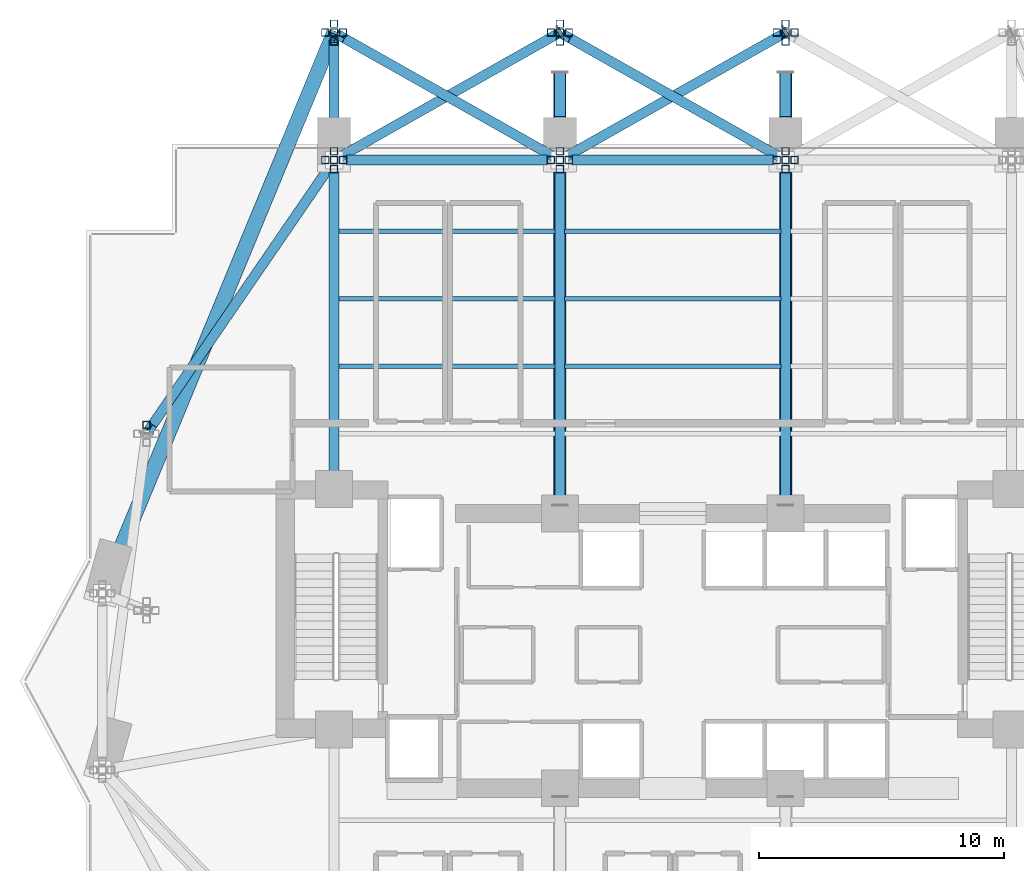
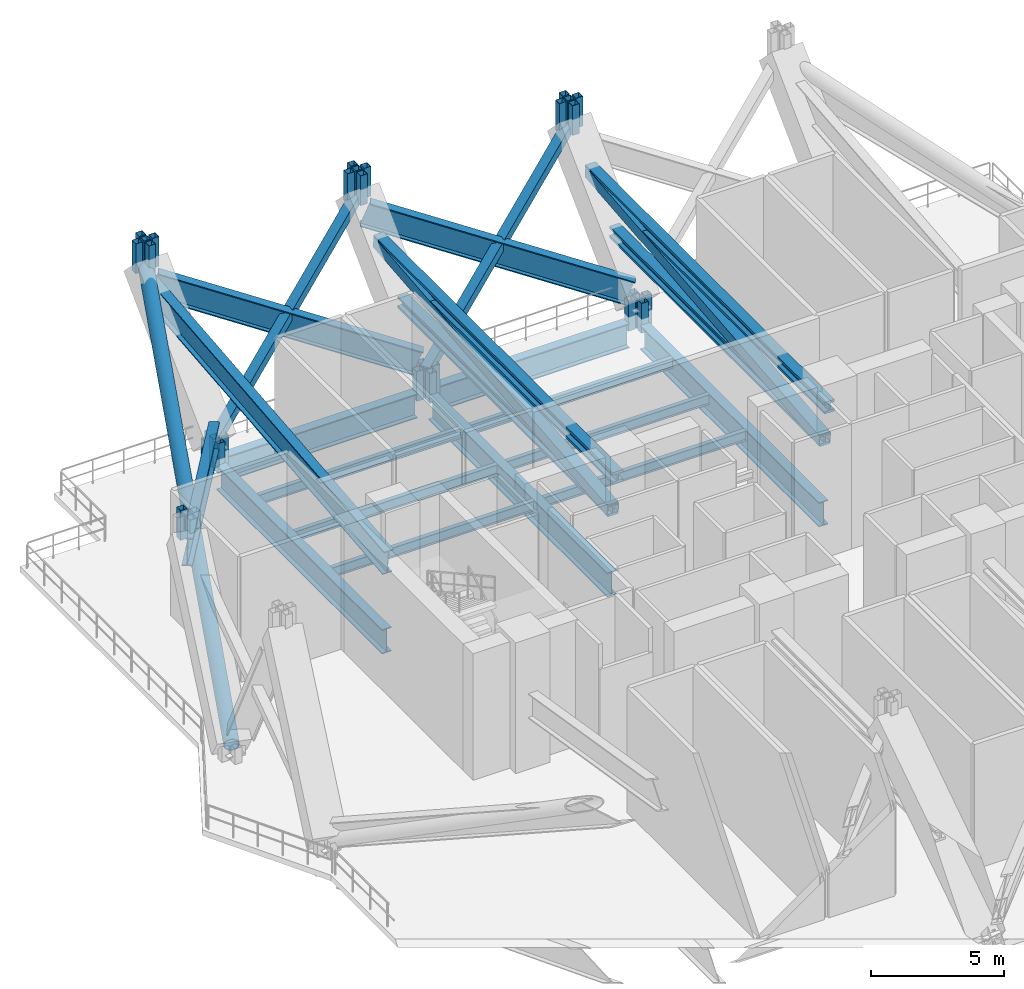
# One storey, part 5 of 18: 40 members, 15 beams.
"""IFC4 building model written with IfcOpenShell, lengths in metres."""

from ifc_helpers import new_model, si_unit, direction, frame, origin, origin_2d, place, context, subcontext, project, spatial, hollow_rectangle, hollow_circle, i_section, extrude, material, material_profile, profile_set, type_object, element, save


model = new_model("IFC4")

# Units and contexts
model_context = context("Model", 3, precision=1e-05, world=origin(), true_north=direction((0.0, 1.0)))
body_context = subcontext(model_context, "Body", "Model", "MODEL_VIEW")
ifc_project = project(units=[si_unit("LENGTHUNIT", "METRE"), si_unit("AREAUNIT", "SQUARE_METRE"), si_unit("VOLUMEUNIT", "CUBIC_METRE"), si_unit("PLANEANGLEUNIT", "RADIAN"), si_unit("MASSUNIT", "GRAM", prefix="KILO")], contexts=[model_context])

# Site, building, storey
site_placement = place(None, origin())
site = spatial("IfcSite", under=ifc_project, at=site_placement, CompositionType="ELEMENT")
building_placement = place(site_placement, origin())
building = spatial("IfcBuilding", under=site, at=building_placement, Name="Zuhayl Quay Hotel", CompositionType="ELEMENT")
storey_placement = place(building_placement, frame((0.0, 0.0, 162.199951171875)))
storey = spatial("IfcBuildingStorey", under=building, at=storey_placement, Name="L41", CompositionType="ELEMENT", Elevation=162.199951171875)

# Beams
ifc_material_1 = material(Name="Steel ASTM A992 Grade 50", Category="steel")
ifc_material_profile_1 = material_profile(ifc_material_1, i_section(OverallWidth=0.18994140625, OverallDepth=0.45703125, WebThickness=0.009033203125, FlangeThickness=0.014404296875, at=origin_2d()), Name="W18X50")
ifc_profile_set_1 = profile_set([ifc_material_profile_1], Name="Steel ASTM A992 Grade 50")
beam_type_1 = type_object("IfcBeamType", Name="BM_J2_W18X50", PredefinedType="JOIST", material=ifc_profile_set_1)
for number, where, z_axis, x_axis, name in (
    (1, (-13.60595703125, 19.35009765625, -0.488525390625), (1.0, 0.0, 0.0), (0.0, 1.0, 0.0), "L41 Floor Beam FJ_L41_2_1"),
    (2, (-4.406005859375, 19.35009765625, -0.488525390625), (1.0, 0.0, 0.0), (0.0, 1.0, 0.0), "L41 Floor Beam FJ_L41_2_2"),
    (3, (-13.60595703125, 22.10009765625, -0.488525390625), (1.0, 0.0, 0.0), (0.0, 1.0, 0.0), "L41 Floor Beam FJ_L41_3_1"),
    (4, (-4.406005859375, 22.10009765625, -0.488525390625), (1.0, 0.0, 0.0), (0.0, 1.0, 0.0), "L41 Floor Beam FJ_L41_3_2"),
    (5, (-13.60595703125, 24.85009765625, -0.488525390625), (1.0, 0.0, 0.0), (0.0, 1.0, 0.0), "L41 Floor Beam FJ_L41_4_1"),
    (6, (-4.406005859375, 24.85009765625, -0.488525390625), (1.0, 0.0, 0.0), (0.0, 1.0, 0.0), "L41 Floor Beam FJ_L41_4_2"),
):
    element("IfcBeam", number, at=place(storey_placement, frame(where, z_axis=z_axis, x_axis=x_axis)), inside=storey, type_object=beam_type_1, Name=name, PredefinedType="JOIST", context=body_context, shape_type="SweptSolid", body=[
        extrude(i_section(OverallWidth=0.18994140625, OverallDepth=0.45703125, WebThickness=0.009033203125, FlangeThickness=0.014404296875, at=origin_2d()), origin(), (0.0, 0.0, 1.0), 8.81201171875),
    ])
ifc_material_2 = material(Name="Steel ASTM A913 Grade 65", Category="steel")
ifc_material_profile_2 = material_profile(ifc_material_2, i_section(OverallWidth=0.404052734375, OverallDepth=1.117919921875, WebThickness=0.026123046875, FlangeThickness=0.044921875, at=origin_2d()), Name="W44X335")
ifc_profile_set_2 = profile_set([ifc_material_profile_2], Name="Steel ASTM A913 Grade 65")
beam_type_2 = type_object("IfcBeamType", Name="BM_TG1_W44X335", PredefinedType="BEAM", material=ifc_profile_set_2)
beam_1_placement = place(storey_placement, frame((4.10009765625, 27.75, -0.81884765625), z_axis=(-1.0, 0.0, 0.0), x_axis=(0.0, -1.0, 0.0)))
element("IfcBeam", 7, at=beam_1_placement, inside=storey, type_object=beam_type_2, Name="L41 Floor Beam RG_L41_08", PredefinedType="BEAM", context=body_context, shape_type="SweptSolid", body=[
    extrude(i_section(OverallWidth=0.404052734375, OverallDepth=1.117919921875, WebThickness=0.026123046875, FlangeThickness=0.044921875, at=origin_2d()), origin(), (0.0, 0.0, 1.0), 8.2001953125),
])
beam_2_placement = place(storey_placement, frame((-5.10009765625, 27.75, -0.81884765625), z_axis=(-1.0, 0.0, 0.0), x_axis=(0.0, -1.0, 0.0)))
element("IfcBeam", 8, at=beam_2_placement, inside=storey, type_object=beam_type_2, Name="L41 Floor Beam RG_L41_09", PredefinedType="BEAM", context=body_context, shape_type="SweptSolid", body=[
    extrude(i_section(OverallWidth=0.404052734375, OverallDepth=1.117919921875, WebThickness=0.026123046875, FlangeThickness=0.044921875, at=origin_2d()), origin(), (0.0, 0.0, 1.0), 8.199951171875),
])
for number, where, z_axis, x_axis, name in (
    (9, (4.3388671875, 27.897705078125, 0.949951171875), (-0.816946933042, 0.46175061571, 0.345520010253), (-0.492055642544, -0.870563751049, 0.0), "L41 Wind-Floor Inclined Belt Girder 08"),
    (10, (-4.861083984375, 27.897705078125, 0.949951171875), (-0.816946933042, 0.46175061571, 0.345520010253), (-0.492055642544, -0.870563751049, 0.0), "L41 Wind-Floor Inclined Belt Girder 09"),
):
    element("IfcBeam", number, at=place(storey_placement, frame(where, z_axis=z_axis, x_axis=x_axis)), inside=storey, type_object=beam_type_2, Name=name, PredefinedType="BEAM", context=body_context, shape_type="SweptSolid", body=[
        extrude(i_section(OverallWidth=0.404052734375, OverallDepth=1.117919921875, WebThickness=0.026123046875, FlangeThickness=0.044921875, at=origin_2d()), origin(), (0.0, 0.0, 1.0), 10.6220703125),
    ])
beam_3_placement = place(storey_placement, frame((-13.9697265625, 27.502685546875, 0.949951171875), z_axis=(-0.544217554717, -0.793208354197, 0.273217422524), x_axis=(0.824581789363, -0.565742761907, 0.0)))
element("IfcBeam", 11, at=beam_3_placement, inside=storey, type_object=beam_type_2, Name="L41 Wind-Floor Inclined Belt Girder 10", PredefinedType="BEAM", context=body_context, shape_type="SweptSolid", body=[
    extrude(i_section(OverallWidth=0.404052734375, OverallDepth=1.117919921875, WebThickness=0.026123046875, FlangeThickness=0.044921875, at=origin_2d()), origin(), (0.0, 0.0, 1.0), 13.43310546875),
])
beam_4_placement = place(storey_placement, frame((-13.800048828125, 14.699951171875, 2.85009765625), z_axis=(0.0, 0.995146642423, 0.098403049108), x_axis=(-1.0, 0.0, 0.0)))
element("IfcBeam", 12, at=beam_4_placement, inside=storey, type_object=beam_type_2, Name="L41 Wind-Floor Inclined Outrigger Girder 1", PredefinedType="BEAM", context=body_context, shape_type="SweptSolid", body=[
    extrude(i_section(OverallWidth=0.404052734375, OverallDepth=1.117919921875, WebThickness=0.026123046875, FlangeThickness=0.044921875, at=origin_2d()), origin(), (0.0, 0.0, 1.0), 17.987548828125),
])
beam_5_placement = place(storey_placement, frame((-13.800048828125, 14.800048828125, -0.81884765625), z_axis=(0.0, 1.0, 0.0), x_axis=(-1.0, 0.0, 0.0)))
element("IfcBeam", 13, at=beam_5_placement, inside=storey, type_object=beam_type_2, Name="L41 Floor Beam FG_N_L41_1", PredefinedType="BEAM", context=body_context, shape_type="SweptSolid", body=[
    extrude(i_section(OverallWidth=0.404052734375, OverallDepth=1.117919921875, WebThickness=0.026123046875, FlangeThickness=0.044921875, at=origin_2d()), origin(), (0.0, 0.0, 1.0), 12.449951171875),
])
for number, where, z_axis, x_axis, name in (
    (14, (-4.60009765625, 13.800048828125, -0.81884765625), (0.0, 1.0, 0.0), (-1.0, 0.0, 0.0), "L41 Floor Beam FG_N_L41_2"),
    (15, (4.60009765625, 13.800048828125, -0.81884765625), (0.0, 1.0, 0.0), (-1.0, 0.0, 0.0), "L41 Floor Beam FG_N_L41_3"),
):
    element("IfcBeam", number, at=place(storey_placement, frame(where, z_axis=z_axis, x_axis=x_axis)), inside=storey, type_object=beam_type_2, Name=name, PredefinedType="BEAM", context=body_context, shape_type="SweptSolid", body=[
        extrude(i_section(OverallWidth=0.404052734375, OverallDepth=1.117919921875, WebThickness=0.026123046875, FlangeThickness=0.044921875, at=origin_2d()), origin(), (0.0, 0.0, 1.0), 13.449951171875),
    ])

# Members
ifc_material_3 = material(Name="Steel ASTM A500 Grade C", Category="steel")
ifc_material_profile_3 = material_profile(ifc_material_3, hollow_rectangle(XDim=0.39990234375, YDim=0.39990234375, WallThickness=0.01611328125, at=origin_2d()), Name="HSS400X400X16")
ifc_profile_set_3 = profile_set([ifc_material_profile_3], Name="Steel ASTM A500 Grade C")
member_type_1 = type_object("IfcMemberType", Name="MB_BT_DIAG_HSS400", PredefinedType="BRACE", material=ifc_profile_set_3)
member_1_placement = place(storey_placement, frame((-13.800048828125, 27.75, 0.550048828125), z_axis=(0.789796824295, 0.446405078169, 0.420646505416), x_axis=(-0.492055734166, 0.870563699263, 0.0)))
element("IfcMember", 16, at=member_1_placement, inside=storey, type_object=member_type_1, Name="L41 Belt Truss BT2 Diagonal N12", PredefinedType="BRACE", context=body_context, shape_type="SweptSolid", body=[
    extrude(hollow_rectangle(XDim=0.39990234375, YDim=0.39990234375, WallThickness=0.01611328125, at=origin_2d()), origin(), (0.0, 0.0, 1.0), 11.6484375),
])
member_2_placement = place(storey_placement, frame((-4.60009765625, 27.75, 0.550048828125), z_axis=(0.789804709303, 0.446397688765, 0.420639542397), x_axis=(-0.4920458381, 0.870569292594, 0.0)))
element("IfcMember", 17, at=member_2_placement, inside=storey, type_object=member_type_1, Name="L41 Belt Truss BT2 Diagonal N23", PredefinedType="BRACE", context=body_context, shape_type="SweptSolid", body=[
    extrude(hollow_rectangle(XDim=0.39990234375, YDim=0.39990234375, WallThickness=0.01611328125, at=origin_2d()), origin(), (0.0, 0.0, 1.0), 11.648681640625),
])
ifc_material_profile_4 = material_profile(ifc_material_3, hollow_rectangle(XDim=0.300048828125, YDim=0.300048828125, WallThickness=0.012451171875, at=origin_2d()), Name="HSS300X300X12")
ifc_profile_set_4 = profile_set([ifc_material_profile_4], Name="Steel ASTM A500 Grade C")
member_type_2 = type_object("IfcMemberType", Name="MB_CR_BRACE_HSS300", PredefinedType="BRACE", material=ifc_profile_set_4)
member_3_placement = place(storey_placement, frame((-13.800048828125, 27.75, -0.64990234375), z_axis=(0.0, 0.0, 1.0), x_axis=(1.0, 0.0, 0.0)))
element("IfcMember", 18, at=member_3_placement, inside=storey, type_object=member_type_2, Name="L41 Mega-Column Lower Knuckle Leg MC_N1-1", PredefinedType="STRUT", context=body_context, shape_type="SweptSolid", body=[
    extrude(hollow_rectangle(XDim=0.300048828125, YDim=0.300048828125, WallThickness=0.012451171875, at=origin_2d()), origin(), (0.0, 0.0, 1.0), 1.369873046875),
])
member_4_placement = place(storey_placement, frame((-13.800048828125, 32.949951171875, 5.280029296875), z_axis=(0.0, 0.0, 1.0), x_axis=(1.0, 0.0, 0.0)))
element("IfcMember", 19, at=member_4_placement, inside=storey, type_object=member_type_2, Name="L41 Mega-Column Upper Knuckle Leg MC_N1-1", PredefinedType="STRUT", context=body_context, shape_type="SweptSolid", body=[
    extrude(hollow_rectangle(XDim=0.300048828125, YDim=0.300048828125, WallThickness=0.012451171875, at=origin_2d()), origin(), (0.0, 0.0, 1.0), 1.3701171875),
])
member_5_placement = place(storey_placement, frame((-13.800048828125, 28.110107421875, -0.64990234375), z_axis=(0.0, 0.0, 1.0), x_axis=(1.0, 0.0, 0.0)))
element("IfcMember", 20, at=member_5_placement, inside=storey, type_object=member_type_2, Name="L41 Mega-Column Lower Knuckle Leg MC_N1-2", PredefinedType="STRUT", context=body_context, shape_type="SweptSolid", body=[
    extrude(hollow_rectangle(XDim=0.300048828125, YDim=0.300048828125, WallThickness=0.012451171875, at=origin_2d()), origin(), (0.0, 0.0, 1.0), 1.369873046875),
])
member_6_placement = place(storey_placement, frame((-13.800048828125, 33.31005859375, 5.280029296875), z_axis=(0.0, 0.0, 1.0), x_axis=(1.0, 0.0, 0.0)))
element("IfcMember", 21, at=member_6_placement, inside=storey, type_object=member_type_2, Name="L41 Mega-Column Upper Knuckle Leg MC_N1-2", PredefinedType="STRUT", context=body_context, shape_type="SweptSolid", body=[
    extrude(hollow_rectangle(XDim=0.300048828125, YDim=0.300048828125, WallThickness=0.012451171875, at=origin_2d()), origin(), (0.0, 0.0, 1.0), 1.3701171875),
])
member_7_placement = place(storey_placement, frame((-13.800048828125, 27.389892578125, -0.64990234375), z_axis=(0.0, 0.0, 1.0), x_axis=(1.0, 0.0, 0.0)))
element("IfcMember", 22, at=member_7_placement, inside=storey, type_object=member_type_2, Name="L41 Mega-Column Lower Knuckle Leg MC_N1-3", PredefinedType="STRUT", context=body_context, shape_type="SweptSolid", body=[
    extrude(hollow_rectangle(XDim=0.300048828125, YDim=0.300048828125, WallThickness=0.012451171875, at=origin_2d()), origin(), (0.0, 0.0, 1.0), 1.369873046875),
])
member_8_placement = place(storey_placement, frame((-13.800048828125, 32.590087890625, 5.280029296875), z_axis=(0.0, 0.0, 1.0), x_axis=(1.0, 0.0, 0.0)))
element("IfcMember", 23, at=member_8_placement, inside=storey, type_object=member_type_2, Name="L41 Mega-Column Upper Knuckle Leg MC_N1-3", PredefinedType="STRUT", context=body_context, shape_type="SweptSolid", body=[
    extrude(hollow_rectangle(XDim=0.300048828125, YDim=0.300048828125, WallThickness=0.012451171875, at=origin_2d()), origin(), (0.0, 0.0, 1.0), 1.3701171875),
])
member_9_placement = place(storey_placement, frame((-13.43994140625, 27.75, -0.64990234375), z_axis=(0.0, 0.0, 1.0), x_axis=(1.0, 0.0, 0.0)))
element("IfcMember", 24, at=member_9_placement, inside=storey, type_object=member_type_2, Name="L41 Mega-Column Lower Knuckle Leg MC_N1-4", PredefinedType="STRUT", context=body_context, shape_type="SweptSolid", body=[
    extrude(hollow_rectangle(XDim=0.300048828125, YDim=0.300048828125, WallThickness=0.012451171875, at=origin_2d()), origin(), (0.0, 0.0, 1.0), 1.369873046875),
])
member_10_placement = place(storey_placement, frame((-13.43994140625, 32.949951171875, 5.280029296875), z_axis=(0.0, 0.0, 1.0), x_axis=(1.0, 0.0, 0.0)))
element("IfcMember", 25, at=member_10_placement, inside=storey, type_object=member_type_2, Name="L41 Mega-Column Upper Knuckle Leg MC_N1-4", PredefinedType="STRUT", context=body_context, shape_type="SweptSolid", body=[
    extrude(hollow_rectangle(XDim=0.300048828125, YDim=0.300048828125, WallThickness=0.012451171875, at=origin_2d()), origin(), (0.0, 0.0, 1.0), 1.3701171875),
])
member_11_placement = place(storey_placement, frame((-14.159912109375, 27.75, -0.64990234375), z_axis=(0.0, 0.0, 1.0), x_axis=(1.0, 0.0, 0.0)))
element("IfcMember", 26, at=member_11_placement, inside=storey, type_object=member_type_2, Name="L41 Mega-Column Lower Knuckle Leg MC_N1-5", PredefinedType="STRUT", context=body_context, shape_type="SweptSolid", body=[
    extrude(hollow_rectangle(XDim=0.300048828125, YDim=0.300048828125, WallThickness=0.012451171875, at=origin_2d()), origin(), (0.0, 0.0, 1.0), 1.369873046875),
])
member_12_placement = place(storey_placement, frame((-14.159912109375, 32.949951171875, 5.280029296875), z_axis=(0.0, 0.0, 1.0), x_axis=(1.0, 0.0, 0.0)))
element("IfcMember", 27, at=member_12_placement, inside=storey, type_object=member_type_2, Name="L41 Mega-Column Upper Knuckle Leg MC_N1-5", PredefinedType="STRUT", context=body_context, shape_type="SweptSolid", body=[
    extrude(hollow_rectangle(XDim=0.300048828125, YDim=0.300048828125, WallThickness=0.012451171875, at=origin_2d()), origin(), (0.0, 0.0, 1.0), 1.3701171875),
])
member_13_placement = place(storey_placement, frame((-4.60009765625, 27.75, -0.64990234375), z_axis=(0.0, 0.0, 1.0), x_axis=(1.0, 0.0, 0.0)))
element("IfcMember", 28, at=member_13_placement, inside=storey, type_object=member_type_2, Name="L41 Mega-Column Lower Knuckle Leg MC_N2-1", PredefinedType="STRUT", context=body_context, shape_type="SweptSolid", body=[
    extrude(hollow_rectangle(XDim=0.300048828125, YDim=0.300048828125, WallThickness=0.012451171875, at=origin_2d()), origin(), (0.0, 0.0, 1.0), 1.369873046875),
])
member_14_placement = place(storey_placement, frame((-4.60009765625, 32.949951171875, 5.280029296875), z_axis=(0.0, 0.0, 1.0), x_axis=(1.0, 0.0, 0.0)))
element("IfcMember", 29, at=member_14_placement, inside=storey, type_object=member_type_2, Name="L41 Mega-Column Upper Knuckle Leg MC_N2-1", PredefinedType="STRUT", context=body_context, shape_type="SweptSolid", body=[
    extrude(hollow_rectangle(XDim=0.300048828125, YDim=0.300048828125, WallThickness=0.012451171875, at=origin_2d()), origin(), (0.0, 0.0, 1.0), 1.3701171875),
])
member_15_placement = place(storey_placement, frame((-4.60009765625, 28.110107421875, -0.64990234375), z_axis=(0.0, 0.0, 1.0), x_axis=(1.0, 0.0, 0.0)))
element("IfcMember", 30, at=member_15_placement, inside=storey, type_object=member_type_2, Name="L41 Mega-Column Lower Knuckle Leg MC_N2-2", PredefinedType="STRUT", context=body_context, shape_type="SweptSolid", body=[
    extrude(hollow_rectangle(XDim=0.300048828125, YDim=0.300048828125, WallThickness=0.012451171875, at=origin_2d()), origin(), (0.0, 0.0, 1.0), 1.369873046875),
])
member_16_placement = place(storey_placement, frame((-4.60009765625, 33.31005859375, 5.280029296875), z_axis=(0.0, 0.0, 1.0), x_axis=(1.0, 0.0, 0.0)))
element("IfcMember", 31, at=member_16_placement, inside=storey, type_object=member_type_2, Name="L41 Mega-Column Upper Knuckle Leg MC_N2-2", PredefinedType="STRUT", context=body_context, shape_type="SweptSolid", body=[
    extrude(hollow_rectangle(XDim=0.300048828125, YDim=0.300048828125, WallThickness=0.012451171875, at=origin_2d()), origin(), (0.0, 0.0, 1.0), 1.3701171875),
])
member_17_placement = place(storey_placement, frame((-4.60009765625, 27.389892578125, -0.64990234375), z_axis=(0.0, 0.0, 1.0), x_axis=(1.0, 0.0, 0.0)))
element("IfcMember", 32, at=member_17_placement, inside=storey, type_object=member_type_2, Name="L41 Mega-Column Lower Knuckle Leg MC_N2-3", PredefinedType="STRUT", context=body_context, shape_type="SweptSolid", body=[
    extrude(hollow_rectangle(XDim=0.300048828125, YDim=0.300048828125, WallThickness=0.012451171875, at=origin_2d()), origin(), (0.0, 0.0, 1.0), 1.369873046875),
])
member_18_placement = place(storey_placement, frame((-4.60009765625, 32.590087890625, 5.280029296875), z_axis=(0.0, 0.0, 1.0), x_axis=(1.0, 0.0, 0.0)))
element("IfcMember", 33, at=member_18_placement, inside=storey, type_object=member_type_2, Name="L41 Mega-Column Upper Knuckle Leg MC_N2-3", PredefinedType="STRUT", context=body_context, shape_type="SweptSolid", body=[
    extrude(hollow_rectangle(XDim=0.300048828125, YDim=0.300048828125, WallThickness=0.012451171875, at=origin_2d()), origin(), (0.0, 0.0, 1.0), 1.3701171875),
])
member_19_placement = place(storey_placement, frame((-4.239990234375, 27.75, -0.64990234375), z_axis=(0.0, 0.0, 1.0), x_axis=(1.0, 0.0, 0.0)))
element("IfcMember", 34, at=member_19_placement, inside=storey, type_object=member_type_2, Name="L41 Mega-Column Lower Knuckle Leg MC_N2-4", PredefinedType="STRUT", context=body_context, shape_type="SweptSolid", body=[
    extrude(hollow_rectangle(XDim=0.300048828125, YDim=0.300048828125, WallThickness=0.012451171875, at=origin_2d()), origin(), (0.0, 0.0, 1.0), 1.369873046875),
])
member_20_placement = place(storey_placement, frame((-4.239990234375, 32.949951171875, 5.280029296875), z_axis=(0.0, 0.0, 1.0), x_axis=(1.0, 0.0, 0.0)))
element("IfcMember", 35, at=member_20_placement, inside=storey, type_object=member_type_2, Name="L41 Mega-Column Upper Knuckle Leg MC_N2-4", PredefinedType="STRUT", context=body_context, shape_type="SweptSolid", body=[
    extrude(hollow_rectangle(XDim=0.300048828125, YDim=0.300048828125, WallThickness=0.012451171875, at=origin_2d()), origin(), (0.0, 0.0, 1.0), 1.3701171875),
])
member_21_placement = place(storey_placement, frame((-4.9599609375, 27.75, -0.64990234375), z_axis=(0.0, 0.0, 1.0), x_axis=(1.0, 0.0, 0.0)))
element("IfcMember", 36, at=member_21_placement, inside=storey, type_object=member_type_2, Name="L41 Mega-Column Lower Knuckle Leg MC_N2-5", PredefinedType="STRUT", context=body_context, shape_type="SweptSolid", body=[
    extrude(hollow_rectangle(XDim=0.300048828125, YDim=0.300048828125, WallThickness=0.012451171875, at=origin_2d()), origin(), (0.0, 0.0, 1.0), 1.369873046875),
])
member_22_placement = place(storey_placement, frame((-4.9599609375, 32.949951171875, 5.280029296875), z_axis=(0.0, 0.0, 1.0), x_axis=(1.0, 0.0, 0.0)))
element("IfcMember", 37, at=member_22_placement, inside=storey, type_object=member_type_2, Name="L41 Mega-Column Upper Knuckle Leg MC_N2-5", PredefinedType="STRUT", context=body_context, shape_type="SweptSolid", body=[
    extrude(hollow_rectangle(XDim=0.300048828125, YDim=0.300048828125, WallThickness=0.012451171875, at=origin_2d()), origin(), (0.0, 0.0, 1.0), 1.3701171875),
])
member_23_placement = place(storey_placement, frame((4.60009765625, 27.75, -0.64990234375), z_axis=(0.0, 0.0, 1.0), x_axis=(1.0, 0.0, 0.0)))
element("IfcMember", 38, at=member_23_placement, inside=storey, type_object=member_type_2, Name="L41 Mega-Column Lower Knuckle Leg MC_N3-1", PredefinedType="STRUT", context=body_context, shape_type="SweptSolid", body=[
    extrude(hollow_rectangle(XDim=0.300048828125, YDim=0.300048828125, WallThickness=0.012451171875, at=origin_2d()), origin(), (0.0, 0.0, 1.0), 1.369873046875),
])
member_24_placement = place(storey_placement, frame((4.60009765625, 32.949951171875, 5.280029296875), z_axis=(0.0, 0.0, 1.0), x_axis=(1.0, 0.0, 0.0)))
element("IfcMember", 39, at=member_24_placement, inside=storey, type_object=member_type_2, Name="L41 Mega-Column Upper Knuckle Leg MC_N3-1", PredefinedType="STRUT", context=body_context, shape_type="SweptSolid", body=[
    extrude(hollow_rectangle(XDim=0.300048828125, YDim=0.300048828125, WallThickness=0.012451171875, at=origin_2d()), origin(), (0.0, 0.0, 1.0), 1.3701171875),
])
member_25_placement = place(storey_placement, frame((4.60009765625, 28.110107421875, -0.64990234375), z_axis=(0.0, 0.0, 1.0), x_axis=(1.0, 0.0, 0.0)))
element("IfcMember", 40, at=member_25_placement, inside=storey, type_object=member_type_2, Name="L41 Mega-Column Lower Knuckle Leg MC_N3-2", PredefinedType="STRUT", context=body_context, shape_type="SweptSolid", body=[
    extrude(hollow_rectangle(XDim=0.300048828125, YDim=0.300048828125, WallThickness=0.012451171875, at=origin_2d()), origin(), (0.0, 0.0, 1.0), 1.369873046875),
])
member_26_placement = place(storey_placement, frame((4.60009765625, 33.31005859375, 5.280029296875), z_axis=(0.0, 0.0, 1.0), x_axis=(1.0, 0.0, 0.0)))
element("IfcMember", 41, at=member_26_placement, inside=storey, type_object=member_type_2, Name="L41 Mega-Column Upper Knuckle Leg MC_N3-2", PredefinedType="STRUT", context=body_context, shape_type="SweptSolid", body=[
    extrude(hollow_rectangle(XDim=0.300048828125, YDim=0.300048828125, WallThickness=0.012451171875, at=origin_2d()), origin(), (0.0, 0.0, 1.0), 1.3701171875),
])
member_27_placement = place(storey_placement, frame((4.60009765625, 27.389892578125, -0.64990234375), z_axis=(0.0, 0.0, 1.0), x_axis=(1.0, 0.0, 0.0)))
element("IfcMember", 42, at=member_27_placement, inside=storey, type_object=member_type_2, Name="L41 Mega-Column Lower Knuckle Leg MC_N3-3", PredefinedType="STRUT", context=body_context, shape_type="SweptSolid", body=[
    extrude(hollow_rectangle(XDim=0.300048828125, YDim=0.300048828125, WallThickness=0.012451171875, at=origin_2d()), origin(), (0.0, 0.0, 1.0), 1.369873046875),
])
member_28_placement = place(storey_placement, frame((4.60009765625, 32.590087890625, 5.280029296875), z_axis=(0.0, 0.0, 1.0), x_axis=(1.0, 0.0, 0.0)))
element("IfcMember", 43, at=member_28_placement, inside=storey, type_object=member_type_2, Name="L41 Mega-Column Upper Knuckle Leg MC_N3-3", PredefinedType="STRUT", context=body_context, shape_type="SweptSolid", body=[
    extrude(hollow_rectangle(XDim=0.300048828125, YDim=0.300048828125, WallThickness=0.012451171875, at=origin_2d()), origin(), (0.0, 0.0, 1.0), 1.3701171875),
])
member_29_placement = place(storey_placement, frame((4.9599609375, 27.75, -0.64990234375), z_axis=(0.0, 0.0, 1.0), x_axis=(1.0, 0.0, 0.0)))
element("IfcMember", 44, at=member_29_placement, inside=storey, type_object=member_type_2, Name="L41 Mega-Column Lower Knuckle Leg MC_N3-4", PredefinedType="STRUT", context=body_context, shape_type="SweptSolid", body=[
    extrude(hollow_rectangle(XDim=0.300048828125, YDim=0.300048828125, WallThickness=0.012451171875, at=origin_2d()), origin(), (0.0, 0.0, 1.0), 1.369873046875),
])
member_30_placement = place(storey_placement, frame((4.9599609375, 32.949951171875, 5.280029296875), z_axis=(0.0, 0.0, 1.0), x_axis=(1.0, 0.0, 0.0)))
element("IfcMember", 45, at=member_30_placement, inside=storey, type_object=member_type_2, Name="L41 Mega-Column Upper Knuckle Leg MC_N3-4", PredefinedType="STRUT", context=body_context, shape_type="SweptSolid", body=[
    extrude(hollow_rectangle(XDim=0.300048828125, YDim=0.300048828125, WallThickness=0.012451171875, at=origin_2d()), origin(), (0.0, 0.0, 1.0), 1.3701171875),
])
member_31_placement = place(storey_placement, frame((4.239990234375, 27.75, -0.64990234375), z_axis=(0.0, 0.0, 1.0), x_axis=(1.0, 0.0, 0.0)))
element("IfcMember", 46, at=member_31_placement, inside=storey, type_object=member_type_2, Name="L41 Mega-Column Lower Knuckle Leg MC_N3-5", PredefinedType="STRUT", context=body_context, shape_type="SweptSolid", body=[
    extrude(hollow_rectangle(XDim=0.300048828125, YDim=0.300048828125, WallThickness=0.012451171875, at=origin_2d()), origin(), (0.0, 0.0, 1.0), 1.369873046875),
])
for number, where, z_axis, x_axis, name in (
    (47, (4.239990234375, 32.949951171875, 5.280029296875), (0.0, 0.0, 1.0), (1.0, 0.0, 0.0), "L41 Mega-Column Upper Knuckle Leg MC_N3-5"),
    (48, (-21.449951171875, 16.9599609375, 5.280029296875), (0.0, 0.0, 1.0), (1.0, 0.0, 0.0), "L41 Mega-Column Upper Knuckle Leg MC_W2-2"),
):
    element("IfcMember", number, at=place(storey_placement, frame(where, z_axis=z_axis, x_axis=x_axis)), inside=storey, type_object=member_type_2, Name=name, PredefinedType="STRUT", context=body_context, shape_type="SweptSolid", body=[
        extrude(hollow_rectangle(XDim=0.300048828125, YDim=0.300048828125, WallThickness=0.012451171875, at=origin_2d()), origin(), (0.0, 0.0, 1.0), 1.3701171875),
    ])
ifc_material_profile_5 = material_profile(ifc_material_2, i_section(OverallWidth=0.44189453125, OverallDepth=0.531005859375, WebThickness=0.06591796875, FlangeThickness=0.105712890625, at=origin_2d()), Name="W14X605")
ifc_profile_set_5 = profile_set([ifc_material_profile_5], Name="Steel ASTM A913 Grade 65")
member_type_3 = type_object("IfcMemberType", Name="MB_OT_CHORD_605", PredefinedType="CHORD", material=ifc_profile_set_5)
member_32_placement = place(storey_placement, frame((-4.60009765625, 13.699951171875, 2.650146484375), z_axis=(0.0, 1.0, 0.0), x_axis=(-1.0, 0.0, 0.0)))
element("IfcMember", 49, at=member_32_placement, inside=storey, type_object=member_type_3, Name="L41 Outrigger Truss OT2 North Bottom Chord 1", PredefinedType="CHORD", context=body_context, shape_type="SweptSolid", body=[
    extrude(i_section(OverallWidth=0.44189453125, OverallDepth=0.531005859375, WebThickness=0.06591796875, FlangeThickness=0.105712890625, at=origin_2d()), origin(), (0.0, 0.0, 1.0), 15.8359375),
])
member_33_placement = place(storey_placement, frame((-4.60009765625, 13.35009765625, 4.35009765625), z_axis=(0.0, 1.0, 0.0), x_axis=(-1.0, 0.0, 0.0)))
element("IfcMember", 50, at=member_33_placement, inside=storey, type_object=member_type_3, Name="L41 Outrigger Truss OT2 North Top Chord 1", PredefinedType="CHORD", context=body_context, shape_type="SweptSolid", body=[
    extrude(i_section(OverallWidth=0.44189453125, OverallDepth=0.531005859375, WebThickness=0.06591796875, FlangeThickness=0.105712890625, at=origin_2d()), origin(), (0.0, 0.0, 1.0), 18.013916015625),
])
member_34_placement = place(storey_placement, frame((4.60009765625, 13.699951171875, 2.650146484375), z_axis=(0.0, 1.0, 0.0), x_axis=(-1.0, 0.0, 0.0)))
element("IfcMember", 51, at=member_34_placement, inside=storey, type_object=member_type_3, Name="L41 Outrigger Truss OT2 North Bottom Chord 2", PredefinedType="CHORD", context=body_context, shape_type="SweptSolid", body=[
    extrude(i_section(OverallWidth=0.44189453125, OverallDepth=0.531005859375, WebThickness=0.06591796875, FlangeThickness=0.105712890625, at=origin_2d()), origin(), (0.0, 0.0, 1.0), 15.8359375),
])
member_35_placement = place(storey_placement, frame((4.60009765625, 13.35009765625, 4.35009765625), z_axis=(0.0, 1.0, 0.0), x_axis=(-1.0, 0.0, 0.0)))
element("IfcMember", 52, at=member_35_placement, inside=storey, type_object=member_type_3, Name="L41 Outrigger Truss OT2 North Top Chord 2", PredefinedType="CHORD", context=body_context, shape_type="SweptSolid", body=[
    extrude(i_section(OverallWidth=0.44189453125, OverallDepth=0.531005859375, WebThickness=0.06591796875, FlangeThickness=0.105712890625, at=origin_2d()), origin(), (0.0, 0.0, 1.0), 18.013916015625),
])
ifc_material_profile_6 = material_profile(ifc_material_3, hollow_rectangle(XDim=0.5, YDim=0.5, WallThickness=0.02001953125, at=origin_2d()), Name="HSS500X500X20")
ifc_profile_set_6 = profile_set([ifc_material_profile_6], Name="Steel ASTM A500 Grade C")
member_type_4 = type_object("IfcMemberType", Name="MB_OT_DIAG_HSS500", PredefinedType="BRACE", material=ifc_profile_set_6)
for number, where, z_axis, x_axis, name in (
    (53, (-4.60009765625, 13.699951171875, 2.650146484375), (0.0, 0.995375069482, 0.096064931443), (-1.0, 0.0, 0.0), "L41 Outrigger Truss OT2 North Diagonal 1"),
    (54, (4.60009765625, 13.699951171875, 2.650146484375), (0.0, 0.995375069482, 0.096064931443), (-1.0, 0.0, 0.0), "L41 Outrigger Truss OT2 North Diagonal 2"),
):
    element("IfcMember", number, at=place(storey_placement, frame(where, z_axis=z_axis, x_axis=x_axis)), inside=storey, type_object=member_type_4, Name=name, PredefinedType="BRACE", context=body_context, shape_type="SweptSolid", body=[
        extrude(hollow_rectangle(XDim=0.5, YDim=0.5, WallThickness=0.02001953125, at=origin_2d()), origin(), (0.0, 0.0, 1.0), 17.69580078125),
    ])
ifc_material_profile_7 = material_profile(ifc_material_3, hollow_circle(Radius=0.304931640625, WallThickness=0.02001953125, at=origin_2d()), Name="CHS610X20")
ifc_profile_set_7 = profile_set([ifc_material_profile_7], Name="Steel ASTM A500 Grade C")
member_type_5 = type_object("IfcMemberType", Name="MB_ST_CHS610", PredefinedType="STRUT", material=ifc_profile_set_7)
member_36_placement = place(storey_placement, frame((-23.25, 10.10009765625, 0.550048828125), z_axis=(0.374884020086, 0.906464466166, 0.19438143703), x_axis=(-0.924090550743, 0.382173591483, 0.0)))
element("IfcMember", 55, at=member_36_placement, inside=storey, type_object=member_type_5, Name="L41 Wind-Floor Corner Mega-Strut NW", PredefinedType="STRUT", context=body_context, shape_type="SweptSolid", body=[
    extrude(hollow_circle(Radius=0.304931640625, WallThickness=0.02001953125, at=origin_2d()), origin(), (0.0, 0.0, 1.0), 25.207763671875),
])

save(model, "model.ifc")
